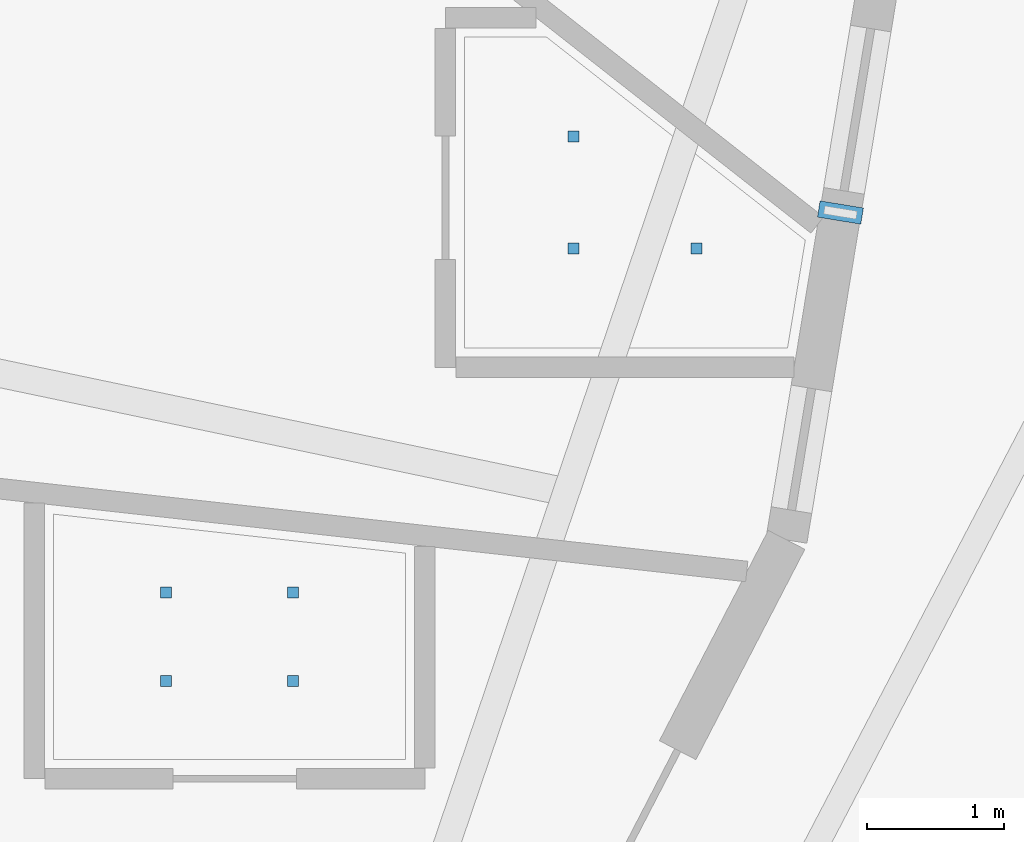
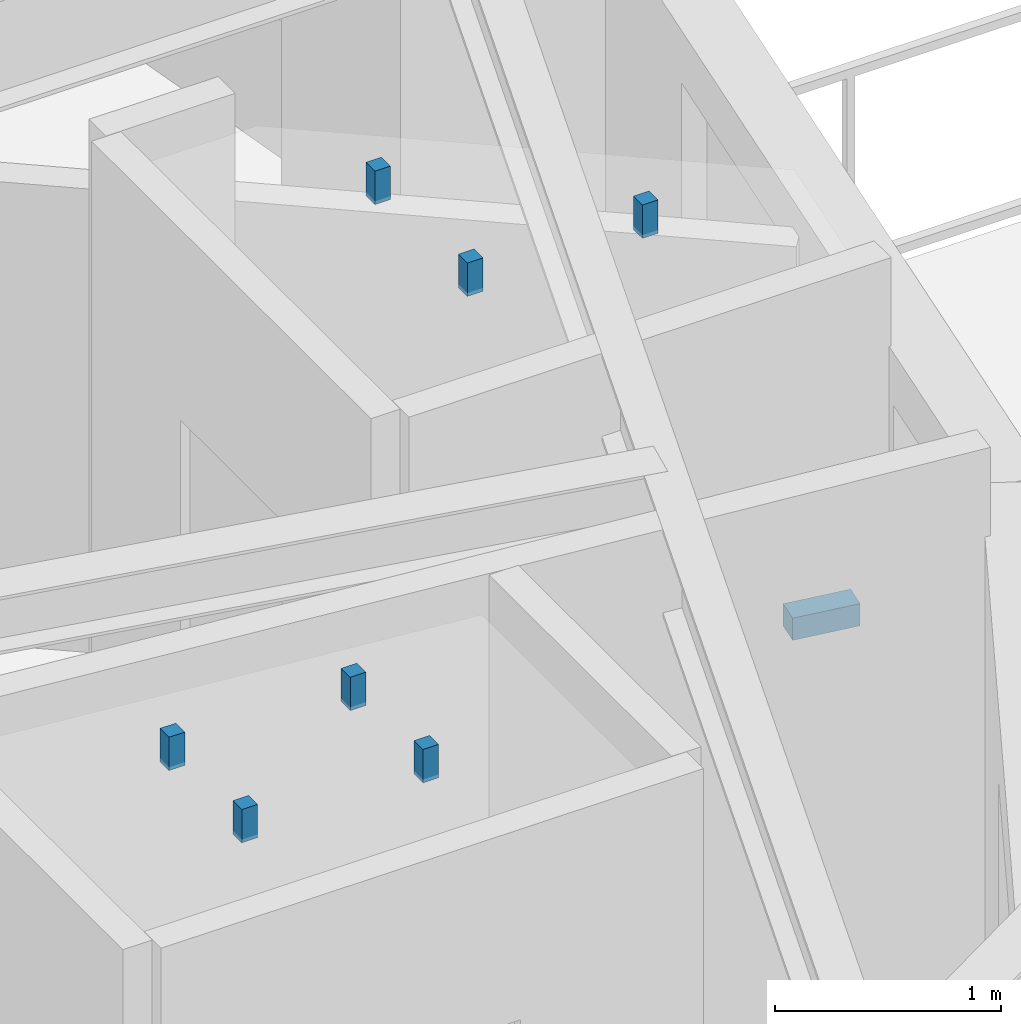
# One storey, part 13 of 18: 8 discrete accessories.
"""IFC4 building model written with IfcOpenShell, lengths in metres."""

from ifc_helpers import new_model, si_unit, direction, frame, origin, origin_2d, place, context, subcontext, project, spatial, rectangle, extrude, material, type_object, element, save


model = new_model("IFC4")

# Units and contexts
model_context = context("Model", 3, precision=1e-05, world=origin(), true_north=direction((0.0, 1.0)))
body_context = subcontext(model_context, "Body", "Model", "MODEL_VIEW")
ifc_project = project(units=[si_unit("LENGTHUNIT", "METRE"), si_unit("AREAUNIT", "SQUARE_METRE"), si_unit("VOLUMEUNIT", "CUBIC_METRE"), si_unit("PLANEANGLEUNIT", "RADIAN"), si_unit("MASSUNIT", "GRAM", prefix="KILO")], contexts=[model_context])

# Site, building, storey
site_placement = place(None, origin())
site = spatial("IfcSite", under=ifc_project, at=site_placement, CompositionType="ELEMENT")
building_placement = place(site_placement, origin())
building = spatial("IfcBuilding", under=site, at=building_placement, Name="Kolvaren Gate Tower and Convention Centre", CompositionType="ELEMENT")
storey_placement = place(building_placement, frame((0.0, 0.0, 115.5)))
storey = spatial("IfcBuildingStorey", under=building, at=storey_placement, Name="L28", CompositionType="ELEMENT", Elevation=115.5)

# Discrete accessories
ifc_material_1 = material(Name="Anodized Architectural Aluminium Alloy 6063-T6", Category="aluminium")
discrete_accessory_type_1 = type_object("IfcDiscreteAccessoryType", Name="ARCH-ACC-BRACKET-120", PredefinedType="BRACKET", material=ifc_material_1)
discrete_accessory_placement = place(storey_placement, frame((53.88134765625, 24.3798828125, 0.2900390625), z_axis=(0.0, 0.0, 1.0), x_axis=(0.162389178836, 0.986726788223, 0.0)))
element("IfcDiscreteAccessory", 1, at=discrete_accessory_placement, inside=storey, type_object=discrete_accessory_type_1, Name="Ceramic Fin Wall Anchor Bracket FBK-L28-23", PredefinedType="BRACKET", context=body_context, shape_type="SweptSolid", body=[
    extrude(rectangle(XDim=0.1201171875, YDim=0.320068359375, at=origin_2d()), origin(), (0.0, 0.0, 1.0), 0.1201171875),
])
ifc_material_2 = material(Name="Brushed Stainless Steel Grade 316L", Category="steel")
discrete_accessory_type_2 = type_object("IfcDiscreteAccessoryType", Name="ARCH-ACC-HANGER-80", PredefinedType="BRACKET", material=ifc_material_2)
for number, where, z_axis, x_axis, name in (
    (2, (48.9619140625, 20.962890625, 2.9501953125), (0.0, 0.0, 1.0), (1.0, 0.0, 0.0), "En-suite Bathroom (HTL-L28-05) Ceiling Suspension Hanger Clip 1"),
    (3, (49.887939453125, 20.962890625, 2.9501953125), (0.0, 0.0, 1.0), (1.0, 0.0, 0.0), "En-suite Bathroom (HTL-L28-05) Ceiling Suspension Hanger Clip 2"),
    (4, (48.9619140625, 21.60693359375, 2.9501953125), (0.0, 0.0, 1.0), (1.0, 0.0, 0.0), "En-suite Bathroom (HTL-L28-05) Ceiling Suspension Hanger Clip 3"),
    (5, (49.887939453125, 21.60693359375, 2.9501953125), (0.0, 0.0, 1.0), (1.0, 0.0, 0.0), "En-suite Bathroom (HTL-L28-05) Ceiling Suspension Hanger Clip 4"),
    (6, (51.93505859375, 24.115966796875, 2.9501953125), (0.0, 0.0, 1.0), (1.0, 0.0, 0.0), "En-suite Bathroom (HTL-L28-06) Ceiling Suspension Hanger Clip 1"),
    (7, (52.830078125, 24.115966796875, 2.9501953125), (0.0, 0.0, 1.0), (1.0, 0.0, 0.0), "En-suite Bathroom (HTL-L28-06) Ceiling Suspension Hanger Clip 2"),
    (8, (51.93505859375, 24.93408203125, 2.9501953125), (0.0, 0.0, 1.0), (1.0, 0.0, 0.0), "En-suite Bathroom (HTL-L28-06) Ceiling Suspension Hanger Clip 3"),
):
    element("IfcDiscreteAccessory", number, at=place(storey_placement, frame(where, z_axis=z_axis, x_axis=x_axis)), inside=storey, type_object=discrete_accessory_type_2, Name=name, PredefinedType="BRACKET", context=body_context, shape_type="SweptSolid", body=[
        extrude(rectangle(XDim=0.080078125, YDim=0.080078125, at=origin_2d()), origin(), (0.0, 0.0, 1.0), 0.179931640625),
    ])

save(model, "model.ifc")
